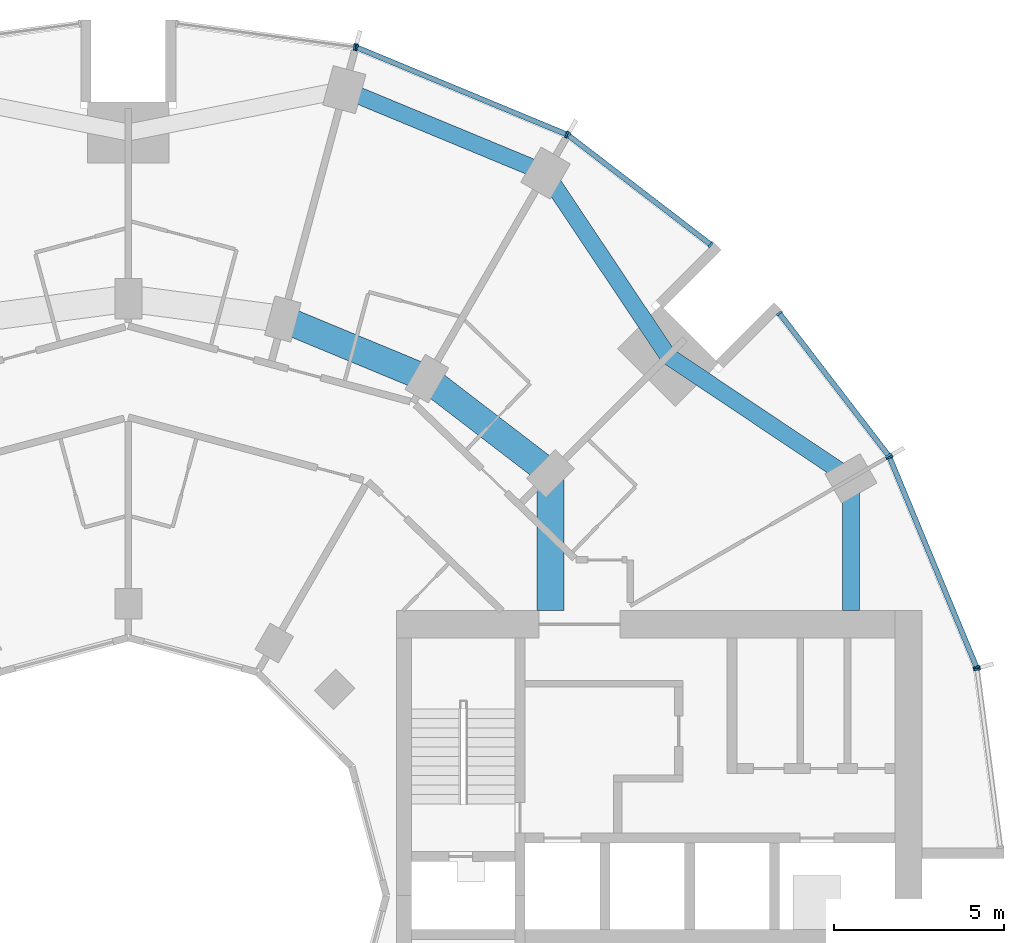
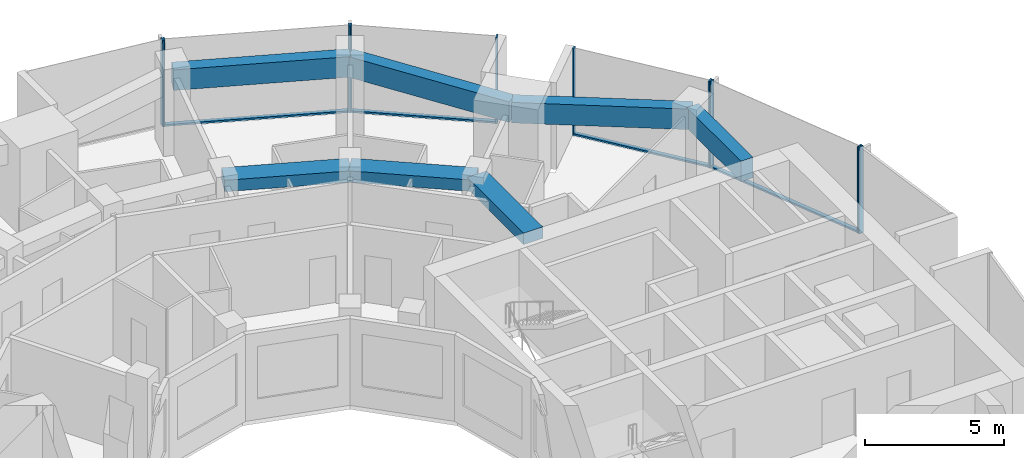
# One storey, part 6 of 15: 14 members, 7 beams, 6 elements without a shape of their own.
"""IFC4 building model written with IfcOpenShell, lengths in metres."""

from ifc_helpers import new_model, si_unit, direction, frame, origin, origin_2d, place, context, subcontext, project, spatial, rectangle, extrude, material, layer, layer_set, material_profile, profile_set, type_object, element, aggregate, save


model = new_model("IFC4")

# Units and contexts
model_context = context("Model", 3, precision=1e-05, world=origin(), true_north=direction((0.0, 1.0)))
body_context = subcontext(model_context, "Body", "Model", "MODEL_VIEW")
ifc_project = project(units=[si_unit("LENGTHUNIT", "METRE"), si_unit("AREAUNIT", "SQUARE_METRE"), si_unit("VOLUMEUNIT", "CUBIC_METRE"), si_unit("PLANEANGLEUNIT", "RADIAN"), si_unit("MASSUNIT", "GRAM", prefix="KILO")], contexts=[model_context])

# Site, building, storey
site_placement = place(None, origin())
site = spatial("IfcSite", under=ifc_project, at=site_placement, CompositionType="ELEMENT")
building_placement = place(site_placement, origin())
building = spatial("IfcBuilding", under=site, at=building_placement, Name="Torre Brocal", CompositionType="ELEMENT")
storey_placement = place(building_placement, frame((0.0, 0.0, 36.39990234375)))
storey = spatial("IfcBuildingStorey", under=building, at=storey_placement, Name="L07", CompositionType="ELEMENT", Elevation=36.39990234375)

# Curtain wall, members
ifc_material_1 = material(Name="Aluminium and glass", Category="aluminium")
ifc_layer_1 = layer(ifc_material_1, 0.199951171875)
ifc_layer_set_1 = layer_set([ifc_layer_1], Name="Aluminium and glass")
curtain_wall_type_1 = type_object("IfcCurtainWallType", Name="CW-1 CURTAIN WALL 3800 HIGH", PredefinedType="NOTDEFINED", material=ifc_layer_set_1)
curtain_wall_1_placement = place(storey_placement, origin())
curtain_wall_1 = element("IfcCurtainWall", 1, at=curtain_wall_1_placement, inside=storey, type_object=curtain_wall_type_1, Name="CW-1 RUN 2", PredefinedType="NOTDEFINED")
ifc_material_2 = material(Name="Aluminium, dark anodised", Category="aluminium")
ifc_material_profile_1 = material_profile(ifc_material_2, rectangle(XDim=0.199951171875, YDim=0.06005859375, at=origin_2d()), Name="CW-1 MULLION 60X200")
ifc_profile_set_1 = profile_set([ifc_material_profile_1], Name="Aluminium, dark anodised")
member_type_1 = type_object("IfcMemberType", Name="CW-1 MULLION 60X200", PredefinedType="MULLION", material=ifc_profile_set_1)
member_1_placement = place(storey_placement, frame((105.005126953125, 81.73095703125, 0.0), z_axis=(0.0, 0.0, 1.0), x_axis=(-0.923879532525, -0.382683432333, 0.0)))
member_1 = element("IfcMember", 2, at=member_1_placement, type_object=member_type_1, Name="CW1-1 mullion 1", PredefinedType="MULLION", context=body_context, shape_type="SweptSolid", body=[
    extrude(rectangle(XDim=0.199951171875, YDim=0.06005859375, at=origin_2d()), origin(), (0.0, 0.0, 1.0), 3.800048828125),
])
member_2_placement = place(storey_placement, frame((102.440673828125, 87.921875, 0.0), z_axis=(0.0, 0.0, 1.0), x_axis=(-0.923879532525, -0.382683432333, 0.0)))
member_2 = element("IfcMember", 3, at=member_2_placement, type_object=member_type_1, Name="CW1-1 mullion 2", PredefinedType="MULLION", context=body_context, shape_type="SweptSolid", body=[
    extrude(rectangle(XDim=0.199951171875, YDim=0.06005859375, at=origin_2d()), origin(), (0.0, 0.0, 1.0), 3.800048828125),
])

curtain_wall_2_placement = place(storey_placement, origin())
curtain_wall_2 = element("IfcCurtainWall", 4, at=curtain_wall_2_placement, inside=storey, type_object=curtain_wall_type_1, Name="CW-1 RUN 3", PredefinedType="NOTDEFINED")
member_3_placement = place(storey_placement, frame((102.4111328125, 87.973388671875, 0.0), z_axis=(0.0, 0.0, 1.0), x_axis=(-0.793353340259, -0.60876142905, 0.0)))
member_3 = element("IfcMember", 5, at=member_3_placement, type_object=member_type_1, Name="CW1-1 mullion 1", PredefinedType="MULLION", context=body_context, shape_type="SweptSolid", body=[
    extrude(rectangle(XDim=0.199951171875, YDim=0.06005859375, at=origin_2d()), origin(), (0.0, 0.0, 1.0), 3.800048828125),
])
member_4_placement = place(storey_placement, frame((99.19140625, 92.16943359375, 0.0), z_axis=(0.0, 0.0, 1.0), x_axis=(-0.793353340259, -0.60876142905, 0.0)))
member_4 = element("IfcMember", 6, at=member_4_placement, type_object=member_type_1, Name="CW1-1 mullion 2", PredefinedType="MULLION", context=body_context, shape_type="SweptSolid", body=[
    extrude(rectangle(XDim=0.199951171875, YDim=0.06005859375, at=origin_2d()), origin(), (0.0, 0.0, 1.0), 3.800048828125),
])

curtain_wall_3_placement = place(storey_placement, origin())
curtain_wall_3 = element("IfcCurtainWall", 7, at=curtain_wall_3_placement, inside=storey, type_object=curtain_wall_type_1, Name="CW-1 RUN 4", PredefinedType="NOTDEFINED")
member_5_placement = place(storey_placement, frame((97.16943359375, 94.19140625, 0.0), z_axis=(0.0, 0.0, 1.0), x_axis=(-0.60876142905, -0.793353340259, 0.0)))
member_5 = element("IfcMember", 8, at=member_5_placement, type_object=member_type_1, Name="CW1-1 mullion 1", PredefinedType="MULLION", context=body_context, shape_type="SweptSolid", body=[
    extrude(rectangle(XDim=0.199951171875, YDim=0.06005859375, at=origin_2d()), origin(), (0.0, 0.0, 1.0), 3.800048828125),
])
member_6_placement = place(storey_placement, frame((92.973388671875, 97.4111328125, 0.0), z_axis=(0.0, 0.0, 1.0), x_axis=(-0.60876142905, -0.793353340259, 0.0)))
member_6 = element("IfcMember", 9, at=member_6_placement, type_object=member_type_1, Name="CW1-1 mullion 2", PredefinedType="MULLION", context=body_context, shape_type="SweptSolid", body=[
    extrude(rectangle(XDim=0.199951171875, YDim=0.06005859375, at=origin_2d()), origin(), (0.0, 0.0, 1.0), 3.800048828125),
])

curtain_wall_4_placement = place(storey_placement, origin())
curtain_wall_4 = element("IfcCurtainWall", 10, at=curtain_wall_4_placement, inside=storey, type_object=curtain_wall_type_1, Name="CW-1 RUN 5", PredefinedType="NOTDEFINED")
member_7_placement = place(storey_placement, frame((92.921875, 97.440673828125, 0.0), z_axis=(0.0, 0.0, 1.0), x_axis=(-0.382683432333, -0.923879532525, 0.0)))
member_7 = element("IfcMember", 11, at=member_7_placement, type_object=member_type_1, Name="CW1-1 mullion 1", PredefinedType="MULLION", context=body_context, shape_type="SweptSolid", body=[
    extrude(rectangle(XDim=0.199951171875, YDim=0.06005859375, at=origin_2d()), origin(), (0.0, 0.0, 1.0), 3.800048828125),
])
member_8_placement = place(storey_placement, frame((86.73095703125, 100.005126953125, 0.0), z_axis=(0.0, 0.0, 1.0), x_axis=(-0.382683432333, -0.923879532525, 0.0)))
member_8 = element("IfcMember", 12, at=member_8_placement, type_object=member_type_1, Name="CW1-1 mullion 2", PredefinedType="MULLION", context=body_context, shape_type="SweptSolid", body=[
    extrude(rectangle(XDim=0.199951171875, YDim=0.06005859375, at=origin_2d()), origin(), (0.0, 0.0, 1.0), 3.800048828125),
])

# Curtain wall, member
curtain_wall_5_placement = place(storey_placement, origin())
curtain_wall_5 = element("IfcCurtainWall", 13, at=curtain_wall_5_placement, inside=storey, type_object=curtain_wall_type_1, Name="CW-1 RUN 6", PredefinedType="NOTDEFINED")
member_9_placement = place(storey_placement, frame((86.67333984375, 100.0205078125, 0.0), z_axis=(0.0, 0.0, 1.0), x_axis=(-0.13052619222, -0.991444861374, 0.0)))
member_9 = element("IfcMember", 14, at=member_9_placement, type_object=member_type_1, Name="CW1-1 mullion 1", PredefinedType="MULLION", context=body_context, shape_type="SweptSolid", body=[
    extrude(rectangle(XDim=0.199951171875, YDim=0.06005859375, at=origin_2d()), origin(), (0.0, 0.0, 1.0), 3.800048828125),
])
aggregate(curtain_wall_5, [member_9])

# Member
ifc_material_3 = material(Name="Aluminium, dark anodised", Category="aluminium")
ifc_material_profile_2 = material_profile(ifc_material_3, rectangle(XDim=0.159912109375, YDim=0.080078125, at=origin_2d()), Name="CW-1 TRANSOM 160X80")
ifc_profile_set_2 = profile_set([ifc_material_profile_2], Name="Aluminium, dark anodised")
member_type_2 = type_object("IfcMemberType", Name="CW-1 TRANSOM 160X80", PredefinedType="USERDEFINED", material=ifc_profile_set_2)
member_10_placement = place(storey_placement, frame((104.99365234375, 81.758544921875, 0.0400390625), z_axis=(-0.38266457234, 0.923887344364, 0.0), x_axis=(-0.923887344364, -0.38266457234, 0.0)))
member_10 = element("IfcMember", 15, at=member_10_placement, type_object=member_type_2, Name="CW1-1 transom 1.1", ObjectType="TRANSOM", PredefinedType="USERDEFINED", context=body_context, shape_type="SweptSolid", body=[
    extrude(rectangle(XDim=0.159912109375, YDim=0.080078125, at=origin_2d()), origin(), (0.0, 0.0, 1.0), 6.640869140625),
])

aggregate(curtain_wall_1, [member_1, member_2, member_10])

member_11_placement = place(storey_placement, frame((102.392822265625, 87.9970703125, 0.0400390625), z_axis=(-0.60874908096, 0.79336281513, 0.0), x_axis=(-0.79336281513, -0.60874908096, 0.0)))
member_11 = element("IfcMember", 16, at=member_11_placement, type_object=member_type_2, Name="CW1-1 transom 1.1", ObjectType="TRANSOM", PredefinedType="USERDEFINED", context=body_context, shape_type="SweptSolid", body=[
    extrude(rectangle(XDim=0.159912109375, YDim=0.080078125, at=origin_2d()), origin(), (0.0, 0.0, 1.0), 5.22900390625),
])

aggregate(curtain_wall_2, [member_3, member_4, member_11])

member_12_placement = place(storey_placement, frame((97.1455078125, 94.209716796875, 0.0400390625), z_axis=(-0.79336281513, 0.60874908096, 0.0), x_axis=(-0.60874908096, -0.79336281513, 0.0)))
member_12 = element("IfcMember", 17, at=member_12_placement, type_object=member_type_2, Name="CW1-1 transom 1.1", ObjectType="TRANSOM", PredefinedType="USERDEFINED", context=body_context, shape_type="SweptSolid", body=[
    extrude(rectangle(XDim=0.159912109375, YDim=0.080078125, at=origin_2d()), origin(), (0.0, 0.0, 1.0), 5.22900390625),
])

aggregate(curtain_wall_3, [member_5, member_6, member_12])

member_13_placement = place(storey_placement, frame((92.89404296875, 97.452392578125, 0.0400390625), z_axis=(-0.923887344364, 0.38266457234, 0.0), x_axis=(-0.38266457234, -0.923887344364, 0.0)))
member_13 = element("IfcMember", 18, at=member_13_placement, type_object=member_type_2, Name="CW1-1 transom 1.1", ObjectType="TRANSOM", PredefinedType="USERDEFINED", context=body_context, shape_type="SweptSolid", body=[
    extrude(rectangle(XDim=0.159912109375, YDim=0.080078125, at=origin_2d()), origin(), (0.0, 0.0, 1.0), 6.640869140625),
])

aggregate(curtain_wall_4, [member_7, member_8, member_13])

# Curtain wall, member
ifc_material_4 = material(Name="Aluminium and glass", Category="aluminium")
ifc_layer_2 = layer(ifc_material_4, 0.199951171875)
ifc_layer_set_2 = layer_set([ifc_layer_2], Name="Aluminium and glass")
curtain_wall_type_2 = type_object("IfcCurtainWallType", Name="CW-1B CURTAIN WALL 3800 HIGH", PredefinedType="NOTDEFINED", material=ifc_layer_set_2)
curtain_wall_6_placement = place(storey_placement, origin())
curtain_wall_6 = element("IfcCurtainWall", 19, at=curtain_wall_6_placement, inside=storey, type_object=curtain_wall_type_2, Name="CW-1B RUN 1", PredefinedType="NOTDEFINED")
ifc_material_5 = material(Name="Aluminium, dark anodised", Category="aluminium")
ifc_material_profile_3 = material_profile(ifc_material_5, rectangle(XDim=0.199951171875, YDim=0.06005859375, at=origin_2d()), Name="CW-1B MULLION 60X200")
ifc_profile_set_3 = profile_set([ifc_material_profile_3], Name="Aluminium, dark anodised")
member_type_3 = type_object("IfcMemberType", Name="CW-1B MULLION 60X200", PredefinedType="MULLION", material=ifc_profile_set_3)
member_14_placement = place(storey_placement, frame((105.0205078125, 81.67333984375, 0.0), z_axis=(0.0, 0.0, 1.0), x_axis=(-0.991444861374, -0.13052619222, 0.0)))
member_14 = element("IfcMember", 20, at=member_14_placement, type_object=member_type_3, Name="CW1B-1 mullion 2", PredefinedType="MULLION", context=body_context, shape_type="SweptSolid", body=[
    extrude(rectangle(XDim=0.199951171875, YDim=0.06005859375, at=origin_2d()), origin(), (0.0, 0.0, 1.0), 3.800048828125),
])
aggregate(curtain_wall_6, [member_14])

# Beams
ifc_material_6 = material(Name="Concrete C50", Category="concrete")
ifc_material_profile_4 = material_profile(ifc_material_6, rectangle(XDim=0.800048828125, YDim=0.5, at=origin_2d()), Name="RC 800X500")
ifc_profile_set_4 = profile_set([ifc_material_profile_4], Name="Concrete C50")
beam_type_1 = type_object("IfcBeamType", Name="RC BEAM 800X500 C50 TOP 3480", PredefinedType="BEAM", material=ifc_profile_set_4)
beam_1_placement = place(storey_placement, frame((92.445068359375, 87.445068359375, 3.22998046875), z_axis=(-0.793358265959, 0.6087550097, 0.0), x_axis=(-0.6087550097, -0.793358265959, 0.0)))
element("IfcBeam", 21, at=beam_1_placement, inside=storey, type_object=beam_type_1, Name="Beam BT-19", PredefinedType="BEAM", context=body_context, shape_type="SweptSolid", body=[
    extrude(rectangle(XDim=0.800048828125, YDim=0.5, at=origin_2d()), origin(), (0.0, 0.0, 1.0), 4.594482421875),
])
beam_2_placement = place(storey_placement, frame((88.800048828125, 90.241943359375, 3.22998046875), z_axis=(-0.923878240166, 0.382686552348, 0.0), x_axis=(-0.382686552348, -0.923878240166, 0.0)))
element("IfcBeam", 22, at=beam_2_placement, inside=storey, type_object=beam_type_1, Name="Beam BT-19", PredefinedType="BEAM", context=body_context, shape_type="SweptSolid", body=[
    extrude(rectangle(XDim=0.800048828125, YDim=0.5, at=origin_2d()), origin(), (0.0, 0.0, 1.0), 4.5947265625),
])
beam_3_placement = place(storey_placement, frame((92.445068359375, 87.445068359375, 3.22998046875), z_axis=(0.0, -1.0, 0.0), x_axis=(1.0, 0.0, 0.0)))
element("IfcBeam", 23, at=beam_3_placement, inside=storey, type_object=beam_type_1, Name="Beam BT-19", PredefinedType="BEAM", context=body_context, shape_type="SweptSolid", body=[
    extrude(rectangle(XDim=0.800048828125, YDim=0.5, at=origin_2d()), origin(), (0.0, 0.0, 1.0), 4.045166015625),
])
ifc_material_7 = material(Name="Concrete C50", Category="concrete")
ifc_material_profile_5 = material_profile(ifc_material_7, rectangle(XDim=0.5, YDim=0.89990234375, at=origin_2d()), Name="RC 500X900")
ifc_profile_set_5 = profile_set([ifc_material_profile_5], Name="Concrete C50")
beam_type_2 = type_object("IfcBeamType", Name="RC SPANDREL BEAM 500X900 C50 TOP 3480", PredefinedType="SPANDREL", material=ifc_profile_set_5)
for number, where, z_axis, x_axis, name in (
    (24, (101.30419921875, 87.300048828125, 3.030029296875), (-0.831076844476, 0.556157602282, 0.0), (-0.556157602282, -0.831076844476, 0.0), "Beam BT-20"),
    (25, (95.909912109375, 90.909912109375, 3.030029296875), (-0.556157602282, 0.831076844476, 0.0), (-0.831076844476, -0.556157602282, 0.0), "Beam BT-20"),
):
    element("IfcBeam", number, at=place(storey_placement, frame(where, z_axis=z_axis, x_axis=x_axis)), inside=storey, type_object=beam_type_2, Name=name, PredefinedType="SPANDREL", context=body_context, shape_type="SweptSolid", body=[
        extrude(rectangle(XDim=0.5, YDim=0.89990234375, at=origin_2d()), origin(), (0.0, 0.0, 1.0), 6.49072265625),
    ])
beam_4_placement = place(storey_placement, frame((92.300048828125, 96.30419921875, 3.030029296875), z_axis=(-0.923882462513, 0.382676358639, 0.0), x_axis=(-0.382676358639, -0.923882462513, 0.0)))
element("IfcBeam", 26, at=beam_4_placement, inside=storey, type_object=beam_type_2, Name="Beam BT-20", PredefinedType="SPANDREL", context=body_context, shape_type="SweptSolid", body=[
    extrude(rectangle(XDim=0.5, YDim=0.89990234375, at=origin_2d()), origin(), (0.0, 0.0, 1.0), 6.421875),
])
beam_5_placement = place(storey_placement, frame((101.30419921875, 87.300048828125, 3.030029296875), z_axis=(0.0, -1.0, 0.0), x_axis=(1.0, 0.0, 0.0)))
element("IfcBeam", 27, at=beam_5_placement, inside=storey, type_object=beam_type_2, Name="Beam BT-20", PredefinedType="SPANDREL", context=body_context, shape_type="SweptSolid", body=[
    extrude(rectangle(XDim=0.5, YDim=0.89990234375, at=origin_2d()), origin(), (0.0, 0.0, 1.0), 3.900146484375),
])

save(model, "model.ifc")
